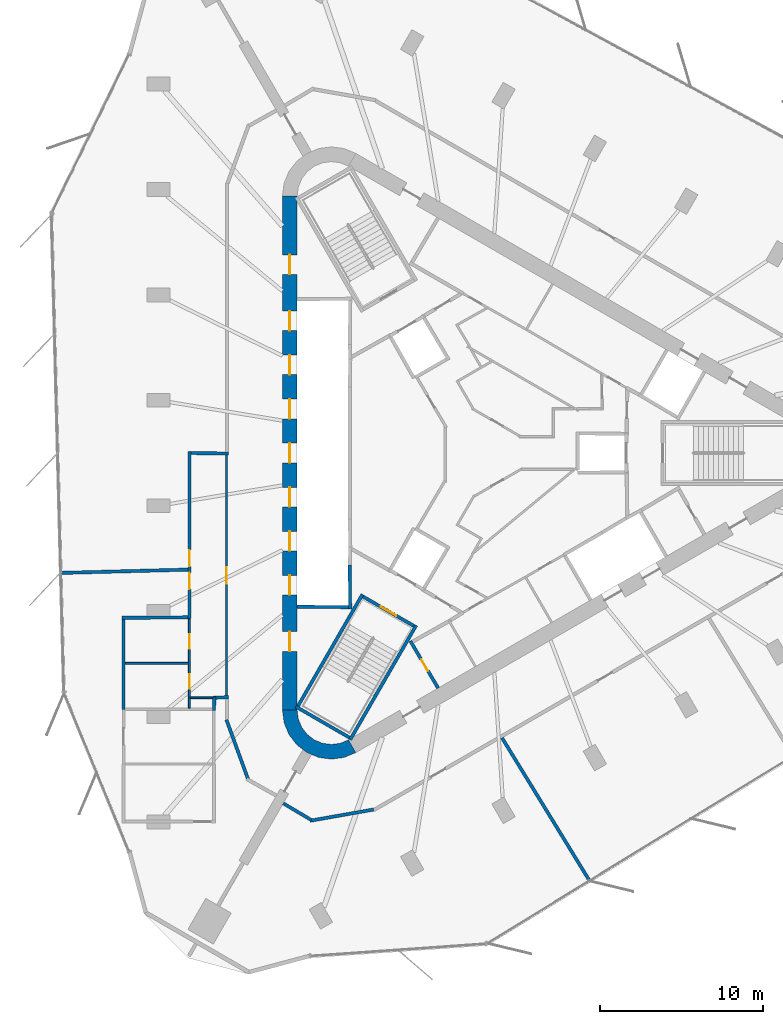
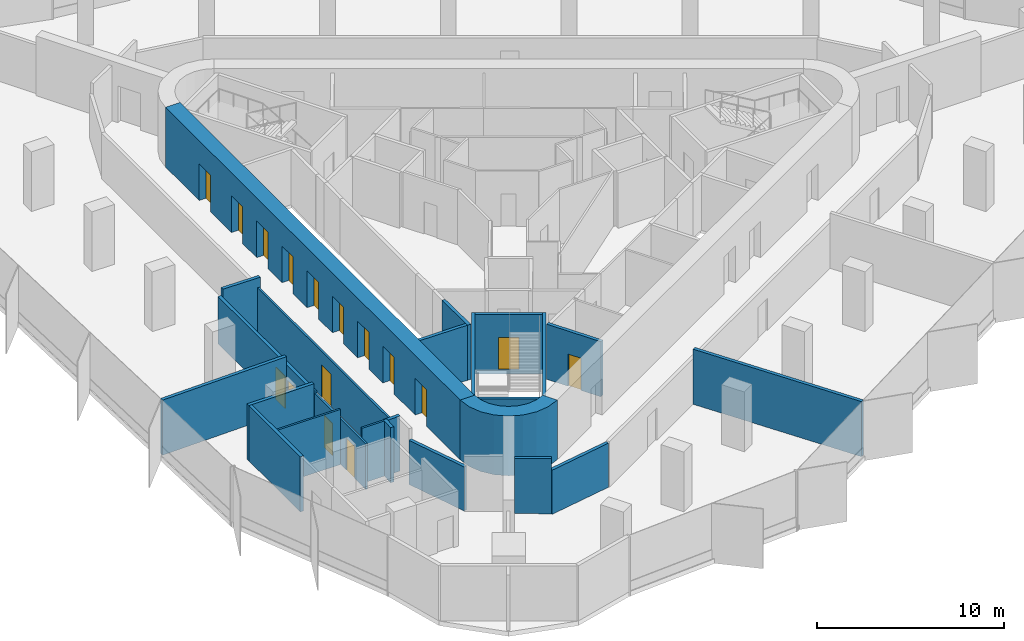
# One storey, part 7 of 12: 24 walls, 16 doors, 16 openings.
"""IFC4 building model written with IfcOpenShell, lengths in metres."""

from ifc_helpers import new_model, si_unit, direction, frame, frame_2d, origin, place, context, subcontext, project, spatial, polyline, rectangle, outline, extrude, material, layer, layer_set, type_object, element, fill, save


model = new_model("IFC4")

# Units and contexts
model_context = context("Model", 3, precision=1e-05, world=origin(), true_north=direction((0.0, 1.0)))
body_context = subcontext(model_context, "Body", "Model", "MODEL_VIEW")
ifc_project = project(units=[si_unit("LENGTHUNIT", "METRE"), si_unit("AREAUNIT", "SQUARE_METRE"), si_unit("VOLUMEUNIT", "CUBIC_METRE"), si_unit("PLANEANGLEUNIT", "RADIAN"), si_unit("MASSUNIT", "GRAM", prefix="KILO")], contexts=[model_context])

# Site, building, storey
site_placement = place(None, origin())
site = spatial("IfcSite", under=ifc_project, at=site_placement, CompositionType="ELEMENT")
building_placement = place(site_placement, origin())
building = spatial("IfcBuilding", under=site, at=building_placement, Name="Tanit Gate Tower", CompositionType="ELEMENT")
storey_placement = place(building_placement, frame((0.0, 0.0, 353.300048828125)))
storey = spatial("IfcBuildingStorey", under=building, at=storey_placement, Name="L80", CompositionType="ELEMENT", Elevation=353.300048828125)

# Wall, openings, doors
ifc_material_1 = material(Name="Concrete C40/50", Category="concrete")
ifc_layer_1 = layer(ifc_material_1, 0.89990234375)
ifc_layer_set_1 = layer_set([ifc_layer_1], Name="CORE WALL 900 C40/50")
wall_type_1 = type_object("IfcWallType", Name="CORE WALL 900 C40/50", PredefinedType="SHEAR", material=ifc_layer_set_1)
wall_1_placement = place(storey_placement, frame((-11.64990234375, 15.76171875, 0.0), z_axis=(0.0, 0.0, 1.0), x_axis=(0.0, -1.0, 0.0)))
wall_1 = element("IfcWall", 1, at=wall_1_placement, inside=storey, type_object=wall_type_1, Name="CORE WALL", PredefinedType="SHEAR", context=body_context, shape_type="SweptSolid", body=[
    extrude(rectangle(XDim=31.5234375, YDim=0.89990234375, at=frame_2d((15.76171875, 0.0))), origin(), (0.0, 0.0, 1.0), 3.89990234375),
])
opening_1_placement = place(wall_1_placement, frame((7.061767578125, 0.0, 0.0)))
opening_1 = element("IfcOpeningElement", 2, at=opening_1_placement, cuts=wall_1, Name="Opening LDHL1-S22", PredefinedType="OPENING", context=body_context, shape_type="SweptSolid", body=[
    extrude(rectangle(XDim=1.199951171875, YDim=2.39990234375, at=frame_2d((0.60009765625, 1.199951171875))), frame((0.0, 0.4599609375, 0.0), z_axis=(0.0, -1.0, 0.0), x_axis=(1.0, 0.0, 0.0)), (0.0, 0.0, 1.0), 0.919921875),
])
opening_2_placement = place(wall_1_placement, frame((9.76171875, 0.0, 0.0)))
opening_2 = element("IfcOpeningElement", 3, at=opening_2_placement, cuts=wall_1, Name="Opening LDHL2-S22", PredefinedType="OPENING", context=body_context, shape_type="SweptSolid", body=[
    extrude(rectangle(XDim=1.199951171875, YDim=2.39990234375, at=frame_2d((0.60009765625, 1.199951171875))), frame((0.0, 0.4599609375, 0.0), z_axis=(0.0, -1.0, 0.0), x_axis=(1.0, 0.0, 0.0)), (0.0, 0.0, 1.0), 0.919921875),
])
opening_3_placement = place(wall_1_placement, frame((12.461669921875, 0.0, 0.0)))
opening_3 = element("IfcOpeningElement", 4, at=opening_3_placement, cuts=wall_1, Name="Opening LDHL3-S22", PredefinedType="OPENING", context=body_context, shape_type="SweptSolid", body=[
    extrude(rectangle(XDim=1.199951171875, YDim=2.39990234375, at=frame_2d((0.60009765625, 1.199951171875))), frame((0.0, 0.4599609375, 0.0), z_axis=(0.0, -1.0, 0.0), x_axis=(1.0, 0.0, 0.0)), (0.0, 0.0, 1.0), 0.919921875),
])
opening_4_placement = place(wall_1_placement, frame((15.16162109375, 0.0, 0.0)))
opening_4 = element("IfcOpeningElement", 5, at=opening_4_placement, cuts=wall_1, Name="Opening LDHL4-S22", PredefinedType="OPENING", context=body_context, shape_type="SweptSolid", body=[
    extrude(rectangle(XDim=1.199951171875, YDim=2.39990234375, at=frame_2d((0.60009765625, 1.199951171875))), frame((0.0, 0.4599609375, 0.0), z_axis=(0.0, -1.0, 0.0), x_axis=(1.0, 0.0, 0.0)), (0.0, 0.0, 1.0), 0.919921875),
])
opening_5_placement = place(wall_1_placement, frame((17.86181640625, 0.0, 0.0)))
opening_5 = element("IfcOpeningElement", 6, at=opening_5_placement, cuts=wall_1, Name="Opening LDHL5-S22", PredefinedType="OPENING", context=body_context, shape_type="SweptSolid", body=[
    extrude(rectangle(XDim=1.199951171875, YDim=2.39990234375, at=frame_2d((0.60009765625, 1.199951171875))), frame((0.0, 0.4599609375, 0.0), z_axis=(0.0, -1.0, 0.0), x_axis=(1.0, 0.0, 0.0)), (0.0, 0.0, 1.0), 0.919921875),
])
opening_6_placement = place(wall_1_placement, frame((20.561767578125, 0.0, 0.0)))
opening_6 = element("IfcOpeningElement", 7, at=opening_6_placement, cuts=wall_1, Name="Opening LDHL6-S22", PredefinedType="OPENING", context=body_context, shape_type="SweptSolid", body=[
    extrude(rectangle(XDim=1.199951171875, YDim=2.39990234375, at=frame_2d((0.60009765625, 1.199951171875))), frame((0.0, 0.4599609375, 0.0), z_axis=(0.0, -1.0, 0.0), x_axis=(1.0, 0.0, 0.0)), (0.0, 0.0, 1.0), 0.919921875),
])
opening_7_placement = place(wall_1_placement, frame((23.26171875, 0.0, 0.0)))
opening_7 = element("IfcOpeningElement", 8, at=opening_7_placement, cuts=wall_1, Name="Opening LDHL7-S22", PredefinedType="OPENING", context=body_context, shape_type="SweptSolid", body=[
    extrude(rectangle(XDim=1.199951171875, YDim=2.39990234375, at=frame_2d((0.60009765625, 1.199951171875))), frame((0.0, 0.4599609375, 0.0), z_axis=(0.0, -1.0, 0.0), x_axis=(1.0, 0.0, 0.0)), (0.0, 0.0, 1.0), 0.919921875),
])
opening_8_placement = place(wall_1_placement, frame((3.61181640625, 0.0, 0.0)))
opening_8 = element("IfcOpeningElement", 9, at=opening_8_placement, cuts=wall_1, Name="Opening F12-S22-FL2", PredefinedType="OPENING", context=body_context, shape_type="SweptSolid", body=[
    extrude(rectangle(XDim=1.199951171875, YDim=2.39990234375, at=frame_2d((0.60009765625, 1.199951171875))), frame((0.0, 0.4599609375, 0.0), z_axis=(0.0, -1.0, 0.0), x_axis=(1.0, 0.0, 0.0)), (0.0, 0.0, 1.0), 0.919921875),
])
opening_9_placement = place(wall_1_placement, frame((26.711669921875, 0.0, 0.0)))
opening_9 = element("IfcOpeningElement", 10, at=opening_9_placement, cuts=wall_1, Name="Opening F12-S22-S3", PredefinedType="OPENING", context=body_context, shape_type="SweptSolid", body=[
    extrude(rectangle(XDim=1.199951171875, YDim=2.39990234375, at=frame_2d((0.60009765625, 1.199951171875))), frame((0.0, 0.4599609375, 0.0), z_axis=(0.0, -1.0, 0.0), x_axis=(1.0, 0.0, 0.0)), (0.0, 0.0, 1.0), 0.919921875),
])
ifc_material_2 = material(Name="Fire-rated steel door leaf", Category="steel")
door_type_1 = type_object("IfcDoorType", Name="INT-DOOR-FIRE-LOBBY-1200", OperationType="NOTDEFINED", PredefinedType="USERDEFINED", material=ifc_material_2)
door_1_placement = place(opening_8_placement, origin())
door_1 = element("IfcDoor", 11, at=door_1_placement, inside=storey, type_object=door_type_1, Name="Door F12-S22-FL2", ObjectType="FIRE DOOR", OperationType="SINGLE_SWING_RIGHT", OverallHeight=2.39990234375, OverallWidth=1.199951171875, PredefinedType="USERDEFINED", context=body_context, shape_type="SweptSolid", body=[
    extrude(rectangle(XDim=1.199951171875, YDim=2.39990234375, at=frame_2d((0.60009765625, 1.199951171875))), frame((0.0, 0.02490234375, 0.0), z_axis=(0.0, -1.0, 0.0), x_axis=(1.0, 0.0, 0.0)), (0.0, 0.0, 1.0), 0.050048828125),
])
fill(opening_8, door_1)
door_2_placement = place(opening_9_placement, origin())
door_2 = element("IfcDoor", 12, at=door_2_placement, inside=storey, type_object=door_type_1, Name="Door F12-S22-S3", ObjectType="FIRE DOOR", OperationType="SINGLE_SWING_LEFT", OverallHeight=2.39990234375, OverallWidth=1.199951171875, PredefinedType="USERDEFINED", context=body_context, shape_type="SweptSolid", body=[
    extrude(rectangle(XDim=1.199951171875, YDim=2.39990234375, at=frame_2d((0.60009765625, 1.199951171875))), frame((0.0, 0.02490234375, 0.0), z_axis=(0.0, -1.0, 0.0), x_axis=(1.0, 0.0, 0.0)), (0.0, 0.0, 1.0), 0.050048828125),
])
fill(opening_9, door_2)
ifc_material_3 = material(Name="Stainless steel sliding door leaf", Category="steel")
door_type_2 = type_object("IfcDoorType", Name="INT-DOOR-LANDING-1200", OperationType="NOTDEFINED", PredefinedType="USERDEFINED", material=ifc_material_3)
door_3_placement = place(opening_1_placement, origin())
door_3 = element("IfcDoor", 13, at=door_3_placement, inside=storey, type_object=door_type_2, Name="Door LDHL1-S22", ObjectType="LANDING DOOR", OperationType="SLIDING_TO_LEFT", OverallHeight=2.39990234375, OverallWidth=1.199951171875, PredefinedType="USERDEFINED", context=body_context, shape_type="SweptSolid", body=[
    extrude(rectangle(XDim=1.199951171875, YDim=2.39990234375, at=frame_2d((0.60009765625, 1.199951171875))), frame((0.0, 0.02490234375, 0.0), z_axis=(0.0, -1.0, 0.0), x_axis=(1.0, 0.0, 0.0)), (0.0, 0.0, 1.0), 0.050048828125),
])
fill(opening_1, door_3)
door_4_placement = place(opening_2_placement, origin())
door_4 = element("IfcDoor", 14, at=door_4_placement, inside=storey, type_object=door_type_2, Name="Door LDHL2-S22", ObjectType="LANDING DOOR", OperationType="SLIDING_TO_LEFT", OverallHeight=2.39990234375, OverallWidth=1.199951171875, PredefinedType="USERDEFINED", context=body_context, shape_type="SweptSolid", body=[
    extrude(rectangle(XDim=1.199951171875, YDim=2.39990234375, at=frame_2d((0.60009765625, 1.199951171875))), frame((0.0, 0.02490234375, 0.0), z_axis=(0.0, -1.0, 0.0), x_axis=(1.0, 0.0, 0.0)), (0.0, 0.0, 1.0), 0.050048828125),
])
fill(opening_2, door_4)
door_5_placement = place(opening_3_placement, origin())
door_5 = element("IfcDoor", 15, at=door_5_placement, inside=storey, type_object=door_type_2, Name="Door LDHL3-S22", ObjectType="LANDING DOOR", OperationType="SLIDING_TO_LEFT", OverallHeight=2.39990234375, OverallWidth=1.199951171875, PredefinedType="USERDEFINED", context=body_context, shape_type="SweptSolid", body=[
    extrude(rectangle(XDim=1.199951171875, YDim=2.39990234375, at=frame_2d((0.60009765625, 1.199951171875))), frame((0.0, 0.02490234375, 0.0), z_axis=(0.0, -1.0, 0.0), x_axis=(1.0, 0.0, 0.0)), (0.0, 0.0, 1.0), 0.050048828125),
])
fill(opening_3, door_5)
door_6_placement = place(opening_4_placement, origin())
door_6 = element("IfcDoor", 16, at=door_6_placement, inside=storey, type_object=door_type_2, Name="Door LDHL4-S22", ObjectType="LANDING DOOR", OperationType="SLIDING_TO_LEFT", OverallHeight=2.39990234375, OverallWidth=1.199951171875, PredefinedType="USERDEFINED", context=body_context, shape_type="SweptSolid", body=[
    extrude(rectangle(XDim=1.199951171875, YDim=2.39990234375, at=frame_2d((0.60009765625, 1.199951171875))), frame((0.0, 0.02490234375, 0.0), z_axis=(0.0, -1.0, 0.0), x_axis=(1.0, 0.0, 0.0)), (0.0, 0.0, 1.0), 0.050048828125),
])
fill(opening_4, door_6)
door_7_placement = place(opening_5_placement, origin())
door_7 = element("IfcDoor", 17, at=door_7_placement, inside=storey, type_object=door_type_2, Name="Door LDHL5-S22", ObjectType="LANDING DOOR", OperationType="SLIDING_TO_LEFT", OverallHeight=2.39990234375, OverallWidth=1.199951171875, PredefinedType="USERDEFINED", context=body_context, shape_type="SweptSolid", body=[
    extrude(rectangle(XDim=1.199951171875, YDim=2.39990234375, at=frame_2d((0.60009765625, 1.199951171875))), frame((0.0, 0.02490234375, 0.0), z_axis=(0.0, -1.0, 0.0), x_axis=(1.0, 0.0, 0.0)), (0.0, 0.0, 1.0), 0.050048828125),
])
fill(opening_5, door_7)
door_8_placement = place(opening_6_placement, origin())
door_8 = element("IfcDoor", 18, at=door_8_placement, inside=storey, type_object=door_type_2, Name="Door LDHL6-S22", ObjectType="LANDING DOOR", OperationType="SLIDING_TO_LEFT", OverallHeight=2.39990234375, OverallWidth=1.199951171875, PredefinedType="USERDEFINED", context=body_context, shape_type="SweptSolid", body=[
    extrude(rectangle(XDim=1.199951171875, YDim=2.39990234375, at=frame_2d((0.60009765625, 1.199951171875))), frame((0.0, 0.02490234375, 0.0), z_axis=(0.0, -1.0, 0.0), x_axis=(1.0, 0.0, 0.0)), (0.0, 0.0, 1.0), 0.050048828125),
])
fill(opening_6, door_8)
door_9_placement = place(opening_7_placement, origin())
door_9 = element("IfcDoor", 19, at=door_9_placement, inside=storey, type_object=door_type_2, Name="Door LDHL7-S22", ObjectType="LANDING DOOR", OperationType="SLIDING_TO_LEFT", OverallHeight=2.39990234375, OverallWidth=1.199951171875, PredefinedType="USERDEFINED", context=body_context, shape_type="SweptSolid", body=[
    extrude(rectangle(XDim=1.199951171875, YDim=2.39990234375, at=frame_2d((0.60009765625, 1.199951171875))), frame((0.0, 0.02490234375, 0.0), z_axis=(0.0, -1.0, 0.0), x_axis=(1.0, 0.0, 0.0)), (0.0, 0.0, 1.0), 0.050048828125),
])
fill(opening_7, door_9)

# Wall
wall_2_placement = place(storey_placement, origin())
element("IfcWall", 20, at=wall_2_placement, inside=storey, type_object=wall_type_1, Name="CORE WALL CORNER", PredefinedType="SHEAR", context=body_context, shape_type="SweptSolid", body=[
    extrude(outline(polyline([(-12.10009765625, -15.76171875), (-11.997802734375, -16.5380859375), (-11.697998046875, -17.26171875), (-11.22119140625, -17.883056640625), (-10.60009765625, -18.359619140625), (-9.87646484375, -18.659423828125), (-9.10009765625, -18.76171875), (-8.323486328125, -18.659423828125), (-7.60009765625, -18.359619140625), (-8.050048828125, -17.580322265625), (-8.556396484375, -17.7900390625), (-9.10009765625, -17.86181640625), (-9.6435546875, -17.7900390625), (-10.14990234375, -17.580322265625), (-10.5849609375, -17.24658203125), (-10.918701171875, -16.811767578125), (-11.12841796875, -16.30517578125), (-11.199951171875, -15.76171875), (-12.10009765625, -15.76171875)])), origin(), (0.0, 0.0, 1.0), 3.89990234375),
])

# Wall, opening, door
ifc_material_4 = material(Name="Fire-rated gypsum board partition")
ifc_layer_2 = layer(ifc_material_4, 0.199951171875)
ifc_layer_set_2 = layer_set([ifc_layer_2], Name="INT-WALL-COMPARTMENT")
wall_type_2 = type_object("IfcWallType", Name="INT-WALL-COMPARTMENT", PredefinedType="PARTITIONING", material=ifc_layer_set_2)
wall_3_placement = place(storey_placement, frame((-4.259765625, -11.523681640625, 0.0), z_axis=(0.0, 0.0, 1.0), x_axis=(0.507997497166, -0.861358544901, 0.0)))
wall_3 = element("IfcWall", 21, at=wall_3_placement, inside=storey, type_object=wall_type_2, Name="Wall Compartment W053", PredefinedType="PARTITIONING", context=body_context, shape_type="SweptSolid", body=[
    extrude(rectangle(XDim=3.350341796875, YDim=0.199951171875, at=frame_2d((1.67529296875, 0.0))), origin(), (0.0, 0.0, 1.0), 3.599853515625),
])
opening_10_placement = place(wall_3_placement, frame((1.3251953125, 0.0, 0.0)))
opening_10 = element("IfcOpeningElement", 22, at=opening_10_placement, cuts=wall_3, Name="Opening R08-S22-17", PredefinedType="OPENING", context=body_context, shape_type="SweptSolid", body=[
    extrude(rectangle(XDim=0.800048828125, YDim=2.10009765625, at=frame_2d((0.39990234375, 1.050048828125))), frame((0.0, 0.10986328125, 0.0), z_axis=(0.0, -1.0, 0.0), x_axis=(1.0, 0.0, 0.0)), (0.0, 0.0, 1.0), 0.219970703125),
])
ifc_material_5 = material(Name="Timber door leaf", Category="wood")
door_type_3 = type_object("IfcDoorType", Name="INT-DOOR-RISER-800", OperationType="NOTDEFINED", PredefinedType="USERDEFINED", material=ifc_material_5)
door_10_placement = place(opening_10_placement, origin())
door_10 = element("IfcDoor", 23, at=door_10_placement, inside=storey, type_object=door_type_3, Name="Door R08-S22-17", ObjectType="FIRE DOOR", OperationType="SINGLE_SWING_LEFT", OverallHeight=2.10009765625, OverallWidth=0.800048828125, PredefinedType="USERDEFINED", context=body_context, shape_type="SweptSolid", body=[
    extrude(rectangle(XDim=0.800048828125, YDim=2.10009765625, at=frame_2d((0.39990234375, 1.050048828125))), frame((0.0, 0.02490234375, 0.0), z_axis=(0.0, -1.0, 0.0), x_axis=(1.0, 0.0, 0.0)), (0.0, 0.0, 1.0), 0.050048828125),
])
fill(opening_10, door_10)

# Wall, openings, doors
wall_4_placement = place(storey_placement, frame((-17.800048828125, 0.10009765625, 0.0), z_axis=(0.0, 0.0, 1.0), x_axis=(0.0, -1.0, 0.0)))
wall_4 = element("IfcWall", 24, at=wall_4_placement, inside=storey, type_object=wall_type_2, Name="Wall Compartment W094", PredefinedType="PARTITIONING", context=body_context, shape_type="SweptSolid", body=[
    extrude(rectangle(XDim=10.22998046875, YDim=0.199951171875, at=frame_2d((5.114990234375, 0.0))), origin(), (0.0, 0.0, 1.0), 3.070068359375),
])
opening_11_placement = place(wall_4_placement, frame((7.444580078125, 0.0, 0.0)))
opening_11 = element("IfcOpeningElement", 25, at=opening_11_placement, cuts=wall_4, Name="Opening F10-S22-26", PredefinedType="OPENING", context=body_context, shape_type="SweptSolid", body=[
    extrude(rectangle(XDim=1.0, YDim=2.10009765625, at=frame_2d((0.5, 1.050048828125))), frame((0.0, 0.10986328125, 0.0), z_axis=(0.0, -1.0, 0.0), x_axis=(1.0, 0.0, 0.0)), (0.0, 0.0, 1.0), 0.219970703125),
])
opening_12_placement = place(wall_4_placement, frame((6.044677734375, 0.0, 0.0)))
opening_12 = element("IfcOpeningElement", 26, at=opening_12_placement, cuts=wall_4, Name="Opening F10-S22-27", PredefinedType="OPENING", context=body_context, shape_type="SweptSolid", body=[
    extrude(rectangle(XDim=1.0, YDim=2.10009765625, at=frame_2d((0.5, 1.050048828125))), frame((0.0, 0.10986328125, 0.0), z_axis=(0.0, -1.0, 0.0), x_axis=(1.0, 0.0, 0.0)), (0.0, 0.0, 1.0), 0.219970703125),
])
ifc_material_6 = material(Name="Fire-rated steel door leaf", Category="steel")
door_type_4 = type_object("IfcDoorType", Name="INT-DOOR-FIRE-1000", OperationType="NOTDEFINED", PredefinedType="USERDEFINED", material=ifc_material_6)
door_11_placement = place(opening_11_placement, origin())
door_11 = element("IfcDoor", 27, at=door_11_placement, inside=storey, type_object=door_type_4, Name="Door F10-S22-26", ObjectType="FIRE DOOR", OperationType="SINGLE_SWING_LEFT", OverallHeight=2.10009765625, OverallWidth=1.0, PredefinedType="USERDEFINED", context=body_context, shape_type="SweptSolid", body=[
    extrude(rectangle(XDim=1.0, YDim=2.10009765625, at=frame_2d((0.5, 1.050048828125))), frame((0.0, 0.02490234375, 0.0), z_axis=(0.0, -1.0, 0.0), x_axis=(1.0, 0.0, 0.0)), (0.0, 0.0, 1.0), 0.050048828125),
])
fill(opening_11, door_11)
door_12_placement = place(opening_12_placement, origin())
door_12 = element("IfcDoor", 28, at=door_12_placement, inside=storey, type_object=door_type_4, Name="Door F10-S22-27", ObjectType="FIRE DOOR", OperationType="SINGLE_SWING_RIGHT", OverallHeight=2.10009765625, OverallWidth=1.0, PredefinedType="USERDEFINED", context=body_context, shape_type="SweptSolid", body=[
    extrude(rectangle(XDim=1.0, YDim=2.10009765625, at=frame_2d((0.5, 1.050048828125))), frame((0.0, 0.02490234375, 0.0), z_axis=(0.0, -1.0, 0.0), x_axis=(1.0, 0.0, 0.0)), (0.0, 0.0, 1.0), 0.050048828125),
])
fill(opening_12, door_12)

# Walls
wall_5_placement = place(storey_placement, frame((-16.330078125, -15.0, 0.0), z_axis=(0.0, 0.0, 1.0), x_axis=(0.999344339616, 0.036206227059, 0.0)))
element("IfcWall", 29, at=wall_5_placement, inside=storey, type_object=wall_type_2, Name="Wall Compartment W093", PredefinedType="PARTITIONING", context=body_context, shape_type="SweptSolid", body=[
    extrude(rectangle(XDim=0.930419921875, YDim=0.199951171875, at=frame_2d((0.46533203125, 0.0))), origin(), (0.0, 0.0, 1.0), 3.599853515625),
])
wall_6_placement = place(storey_placement, frame((-15.39990234375, -0.03125, 0.0), z_axis=(0.0, 0.0, 1.0), x_axis=(-0.999914782125, 0.013054826261, 0.0)))
element("IfcWall", 30, at=wall_6_placement, inside=storey, type_object=wall_type_2, Name="Wall Compartment W095", PredefinedType="PARTITIONING", context=body_context, shape_type="SweptSolid", body=[
    extrude(rectangle(XDim=2.30029296875, YDim=0.199951171875, at=frame_2d((1.150146484375, 0.0))), origin(), (0.0, 0.0, 1.0), 3.599853515625),
])
wall_7_placement = place(storey_placement, frame((-15.5341796875, -16.346435546875, 0.0), z_axis=(0.0, 0.0, 1.0), x_axis=(0.342001008711, -0.939699584996, 0.0)))
element("IfcWall", 31, at=wall_7_placement, inside=storey, type_object=wall_type_2, Name="Wall Compartment W100", PredefinedType="PARTITIONING", context=body_context, shape_type="SweptSolid", body=[
    extrude(rectangle(XDim=3.87548828125, YDim=0.199951171875, at=frame_2d((1.937744140625, 0.0))), origin(), (0.0, 0.0, 1.0), 2.8798828125),
])
wall_8_placement = place(storey_placement, frame((-10.405517578125, -22.53759765625, 0.0), z_axis=(0.0, 0.0, 1.0), x_axis=(0.98480284819, 0.173675991999, 0.0)))
element("IfcWall", 32, at=wall_8_placement, inside=storey, type_object=wall_type_2, Name="Wall Compartment W115", PredefinedType="PARTITIONING", context=body_context, shape_type="SweptSolid", body=[
    extrude(rectangle(XDim=3.94873046875, YDim=0.199951171875, at=frame_2d((1.974365234375, 0.0))), origin(), (0.0, 0.0, 1.0), 2.8798828125),
])
wall_9_placement = place(storey_placement, frame((-12.05029296875, -21.4716796875, 0.0), z_axis=(0.0, 0.0, 1.0), x_axis=(0.859577966481, -0.511004617924, 0.0)))
element("IfcWall", 33, at=wall_9_placement, inside=storey, type_object=wall_type_2, Name="Wall Compartment W116", PredefinedType="PARTITIONING", context=body_context, shape_type="SweptSolid", body=[
    extrude(rectangle(XDim=1.99755859375, YDim=0.199951171875, at=frame_2d((0.998779296875, 0.0))), origin(), (0.0, 0.0, 1.0), 3.599853515625),
])
wall_10_placement = place(storey_placement, frame((-25.68115234375, -7.348876953125, 0.0), z_axis=(0.0, 0.0, 1.0), x_axis=(0.999664345276, 0.025907465776, 0.0)))
element("IfcWall", 34, at=wall_10_placement, inside=storey, type_object=wall_type_2, Name="Wall Compartment W117", PredefinedType="PARTITIONING", context=body_context, shape_type="SweptSolid", body=[
    extrude(rectangle(XDim=7.783935546875, YDim=0.199951171875, at=frame_2d((3.89208984375, 0.0))), origin(), (0.0, 0.0, 1.0), 3.599853515625),
])
wall_11_placement = place(storey_placement, frame((-17.89990234375, -10.07080078125, 0.0), z_axis=(0.0, 0.0, 1.0), x_axis=(-0.999972376977, -0.007432717088, 0.0)))
element("IfcWall", 35, at=wall_11_placement, inside=storey, type_object=wall_type_2, Name="Wall Compartment W120", PredefinedType="PARTITIONING", context=body_context, shape_type="SweptSolid", body=[
    extrude(rectangle(XDim=4.0400390625, YDim=0.199951171875, at=frame_2d((2.02001953125, 0.0))), origin(), (0.0, 0.0, 1.0), 3.599853515625),
])
wall_12_placement = place(storey_placement, frame((-21.840087890625, -15.704345703125, 0.0), z_axis=(0.0, 0.0, 1.0), x_axis=(0.0, 1.0, 0.0)))
element("IfcWall", 36, at=wall_12_placement, inside=storey, type_object=wall_type_2, Name="Wall Compartment W122", PredefinedType="PARTITIONING", context=body_context, shape_type="SweptSolid", body=[
    extrude(rectangle(XDim=5.50439453125, YDim=0.199951171875, at=frame_2d((2.752197265625, 0.0))), origin(), (0.0, 0.0, 1.0), 3.599853515625),
])
wall_13_placement = place(storey_placement, frame((-16.300048828125, -15.771728515625, 0.0), z_axis=(0.0, 0.0, 1.0), x_axis=(0.039007565522, 0.999238915291, 0.0)))
element("IfcWall", 37, at=wall_13_placement, inside=storey, type_object=wall_type_2, Name="Wall Compartment W123", PredefinedType="PARTITIONING", context=body_context, shape_type="SweptSolid", body=[
    extrude(rectangle(XDim=0.83251953125, YDim=0.199951171875, at=frame_2d((0.416259765625, 0.0))), origin(), (0.0, 0.0, 1.0), 3.599853515625),
])
wall_14_placement = place(storey_placement, frame((6.71875, -26.213134765625, 0.0), z_axis=(0.0, 0.0, 1.0), x_axis=(-0.522271430508, 0.852779310769, 0.0)))
element("IfcWall", 38, at=wall_14_placement, inside=storey, type_object=wall_type_2, Name="Wall Compartment W134", PredefinedType="PARTITIONING", context=body_context, shape_type="SweptSolid", body=[
    extrude(rectangle(XDim=10.263916015625, YDim=0.199951171875, at=frame_2d((5.1318359375, 0.0))), origin(), (0.0, 0.0, 1.0), 3.599853515625),
])

# Wall, opening, door
ifc_material_7 = material(Name="Gypsum board partition")
ifc_layer_3 = layer(ifc_material_7, 0.1201171875)
ifc_layer_set_3 = layer_set([ifc_layer_3], Name="INT-WALL-PARTITION")
wall_type_3 = type_object("IfcWallType", Name="INT-WALL-PARTITION", PredefinedType="PARTITIONING", material=ifc_layer_set_3)
wall_15_placement = place(storey_placement, frame((-15.530029296875, 0.0, 0.0), z_axis=(0.0, 0.0, 1.0), x_axis=(0.0, -1.0, 0.0)))
wall_15 = element("IfcWall", 39, at=wall_15_placement, inside=storey, type_object=wall_type_3, Name="Wall Partition W091", PredefinedType="PARTITIONING", context=body_context, shape_type="SweptSolid", body=[
    extrude(rectangle(XDim=15.0, YDim=0.1201171875, at=frame_2d((7.5, 0.0))), origin(), (0.0, 0.0, 1.0), 2.969970703125),
])
opening_13_placement = place(wall_15_placement, frame((7.0, 0.0, 0.0)))
opening_13 = element("IfcOpeningElement", 40, at=opening_13_placement, cuts=wall_15, Name="Opening D10-S22-21", PredefinedType="OPENING", context=body_context, shape_type="SweptSolid", body=[
    extrude(rectangle(XDim=1.0, YDim=2.10009765625, at=frame_2d((0.5, 1.050048828125))), frame((0.0, 0.070068359375, 0.0), z_axis=(0.0, -1.0, 0.0), x_axis=(1.0, 0.0, 0.0)), (0.0, 0.0, 1.0), 0.14013671875),
])
ifc_material_8 = material(Name="Timber door leaf", Category="wood")
door_type_5 = type_object("IfcDoorType", Name="INT-DOOR-SINGLE-1000", OperationType="NOTDEFINED", PredefinedType="NOTDEFINED", material=ifc_material_8)
door_13_placement = place(opening_13_placement, origin())
door_13 = element("IfcDoor", 41, at=door_13_placement, inside=storey, type_object=door_type_5, Name="Door D10-S22-21", OperationType="SINGLE_SWING_RIGHT", OverallHeight=2.10009765625, OverallWidth=1.0, PredefinedType="NOTDEFINED", context=body_context, shape_type="SweptSolid", body=[
    extrude(rectangle(XDim=1.0, YDim=2.10009765625, at=frame_2d((0.5, 1.050048828125))), frame((0.0, 0.02490234375, 0.0), z_axis=(0.0, -1.0, 0.0), x_axis=(1.0, 0.0, 0.0)), (0.0, 0.0, 1.0), 0.050048828125),
])
fill(opening_13, door_13)

# Wall, openings, doors
wall_16_placement = place(storey_placement, frame((-17.800048828125, -10.169921875, 0.0), z_axis=(0.0, 0.0, 1.0), x_axis=(0.0, -1.0, 0.0)))
wall_16 = element("IfcWall", 42, at=wall_16_placement, inside=storey, type_object=wall_type_3, Name="Wall Partition W096", PredefinedType="PARTITIONING", context=body_context, shape_type="SweptSolid", body=[
    extrude(rectangle(XDim=5.466796875, YDim=0.1201171875, at=frame_2d((2.7333984375, 0.0))), origin(), (0.0, 0.0, 1.0), 2.969970703125),
])
opening_14_placement = place(wall_16_placement, frame((0.940185546875, 0.0, 0.0)))
opening_14 = element("IfcOpeningElement", 43, at=opening_14_placement, cuts=wall_16, Name="Opening D09-S22-22", PredefinedType="OPENING", context=body_context, shape_type="SweptSolid", body=[
    extrude(rectangle(XDim=0.89990234375, YDim=2.10009765625, at=frame_2d((0.449951171875, 1.050048828125))), frame((0.0, 0.070068359375, 0.0), z_axis=(0.0, -1.0, 0.0), x_axis=(1.0, 0.0, 0.0)), (0.0, 0.0, 1.0), 0.14013671875),
])
opening_15_placement = place(wall_16_placement, frame((3.385009765625, 0.0, 0.0)))
opening_15 = element("IfcOpeningElement", 44, at=opening_15_placement, cuts=wall_16, Name="Opening D09-S22-23", PredefinedType="OPENING", context=body_context, shape_type="SweptSolid", body=[
    extrude(rectangle(XDim=0.89990234375, YDim=2.10009765625, at=frame_2d((0.449951171875, 1.050048828125))), frame((0.0, 0.070068359375, 0.0), z_axis=(0.0, -1.0, 0.0), x_axis=(1.0, 0.0, 0.0)), (0.0, 0.0, 1.0), 0.14013671875),
])
ifc_material_9 = material(Name="Timber door leaf", Category="wood")
door_type_6 = type_object("IfcDoorType", Name="INT-DOOR-SINGLE-900", OperationType="NOTDEFINED", PredefinedType="NOTDEFINED", material=ifc_material_9)
door_14_placement = place(opening_14_placement, origin())
door_14 = element("IfcDoor", 45, at=door_14_placement, inside=storey, type_object=door_type_6, Name="Door D09-S22-22", OperationType="SINGLE_SWING_LEFT", OverallHeight=2.10009765625, OverallWidth=0.89990234375, PredefinedType="NOTDEFINED", context=body_context, shape_type="SweptSolid", body=[
    extrude(rectangle(XDim=0.89990234375, YDim=2.10009765625, at=frame_2d((0.449951171875, 1.050048828125))), frame((0.0, 0.02490234375, 0.0), z_axis=(0.0, -1.0, 0.0), x_axis=(1.0, 0.0, 0.0)), (0.0, 0.0, 1.0), 0.050048828125),
])
fill(opening_14, door_14)
door_15_placement = place(opening_15_placement, origin())
door_15 = element("IfcDoor", 46, at=door_15_placement, inside=storey, type_object=door_type_6, Name="Door D09-S22-23", OperationType="SINGLE_SWING_LEFT", OverallHeight=2.10009765625, OverallWidth=0.89990234375, PredefinedType="NOTDEFINED", context=body_context, shape_type="SweptSolid", body=[
    extrude(rectangle(XDim=0.89990234375, YDim=2.10009765625, at=frame_2d((0.449951171875, 1.050048828125))), frame((0.0, 0.02490234375, 0.0), z_axis=(0.0, -1.0, 0.0), x_axis=(1.0, 0.0, 0.0)), (0.0, 0.0, 1.0), 0.050048828125),
])
fill(opening_15, door_15)

# Walls
wall_17_placement = place(storey_placement, frame((-17.739990234375, -15.0, 0.0), z_axis=(0.0, 0.0, 1.0), x_axis=(1.0, 0.0, 0.0)))
element("IfcWall", 47, at=wall_17_placement, inside=storey, type_object=wall_type_3, Name="Wall Partition W097", PredefinedType="PARTITIONING", context=body_context, shape_type="SweptSolid", body=[
    extrude(rectangle(XDim=1.369873046875, YDim=0.1201171875, at=frame_2d((0.68505859375, 0.0))), origin(), (0.0, 0.0, 1.0), 3.599853515625),
])
wall_18_placement = place(storey_placement, frame((-17.860107421875, -12.89013671875, 0.0), z_axis=(0.0, 0.0, 1.0), x_axis=(-1.0, 0.0, 0.0)))
element("IfcWall", 48, at=wall_18_placement, inside=storey, type_object=wall_type_3, Name="Wall Partition W135", PredefinedType="PARTITIONING", context=body_context, shape_type="SweptSolid", body=[
    extrude(rectangle(XDim=3.8798828125, YDim=0.1201171875, at=frame_2d((1.93994140625, 0.0))), origin(), (0.0, 0.0, 1.0), 3.599853515625),
])
ifc_material_10 = material(Name="Gypsum shaft wall system")
ifc_layer_4 = layer(ifc_material_10, 0.199951171875)
ifc_layer_set_4 = layer_set([ifc_layer_4], Name="INT-WALL-SHAFT")
wall_type_4 = type_object("IfcWallType", Name="INT-WALL-SHAFT", PredefinedType="PLUMBINGWALL", material=ifc_layer_set_4)
wall_19_placement = place(storey_placement, frame((-7.97900390625, -6.85009765625, 0.0), z_axis=(0.0, 0.0, 1.0), x_axis=(0.011121475088, -0.999938154483, 0.0)))
element("IfcWall", 49, at=wall_19_placement, inside=storey, type_object=wall_type_4, Name="Wall Shaft W010", PredefinedType="PLUMBINGWALL", context=body_context, shape_type="SweptSolid", body=[
    extrude(rectangle(XDim=2.7001953125, YDim=0.199951171875, at=frame_2d((1.35009765625, 0.0))), origin(), (0.0, 0.0, 1.0), 3.599853515625),
])
wall_20_placement = place(storey_placement, frame((-8.050048828125, -9.448974609375, 0.0), z_axis=(0.0, 0.0, 1.0), x_axis=(-0.999957467379, 0.009222983926, 0.0)))
element("IfcWall", 50, at=wall_20_placement, inside=storey, type_object=wall_type_4, Name="Wall Shaft W011", PredefinedType="PLUMBINGWALL", context=body_context, shape_type="SweptSolid", body=[
    extrude(rectangle(XDim=3.150146484375, YDim=0.199951171875, at=frame_2d((1.5751953125, 0.0))), origin(), (0.0, 0.0, 1.0), 3.599853515625),
])
ifc_material_11 = material(Name="Concrete C40/50", Category="concrete")
ifc_layer_5 = layer(ifc_material_11, 0.199951171875)
ifc_layer_set_5 = layer_set([ifc_layer_5], Name="INT-WALL-STAIR")
wall_type_5 = type_object("IfcWallType", Name="INT-WALL-STAIR", PredefinedType="SHEAR", material=ifc_layer_set_5)
wall_21_placement = place(storey_placement, frame((-3.904541015625, -10.56298828125, -0.300048828125), z_axis=(0.0, 0.0, 1.0), x_axis=(-0.500012932018, -0.866017937352, 0.0)))
element("IfcWall", 51, at=wall_21_placement, inside=storey, type_object=wall_type_5, Name="Wall Stair W036", PredefinedType="SHEAR", context=body_context, shape_type="SweptSolid", body=[
    extrude(rectangle(XDim=8.099853515625, YDim=0.199951171875, at=frame_2d((4.0498046875, 0.0))), origin(), (0.0, 0.0, 1.0), 3.89990234375),
])
wall_22_placement = place(storey_placement, frame((-11.281982421875, -15.541015625, -0.300048828125), z_axis=(0.0, 0.0, 1.0), x_axis=(0.866000483506, -0.500043160704, 0.0)))
element("IfcWall", 52, at=wall_22_placement, inside=storey, type_object=wall_type_5, Name="Wall Stair W037", PredefinedType="SHEAR", context=body_context, shape_type="SweptSolid", body=[
    extrude(rectangle(XDim=3.800048828125, YDim=0.199951171875, at=frame_2d((1.89990234375, 0.0))), origin(), (0.0, 0.0, 1.0), 3.89990234375),
])
wall_23_placement = place(storey_placement, frame((-7.195556640625, -8.662841796875, -0.300048828125), z_axis=(0.0, 0.0, 1.0), x_axis=(-0.499997992926, -0.866026562566, 0.0)))
element("IfcWall", 53, at=wall_23_placement, inside=storey, type_object=wall_type_5, Name="Wall Stair W038", PredefinedType="SHEAR", context=body_context, shape_type="SweptSolid", body=[
    extrude(rectangle(XDim=7.89990234375, YDim=0.199951171875, at=frame_2d((3.949951171875, 0.0))), origin(), (0.0, 0.0, 1.0), 3.89990234375),
])

# Wall, opening, door
wall_24_placement = place(storey_placement, frame((-4.041259765625, -10.599365234375, -0.300048828125), z_axis=(0.0, 0.0, 1.0), x_axis=(-0.866047807691, 0.499961193289, 0.0)))
wall_24 = element("IfcWall", 54, at=wall_24_placement, inside=storey, type_object=wall_type_5, Name="Wall Stair W039", PredefinedType="SHEAR", context=body_context, shape_type="SweptSolid", body=[
    extrude(rectangle(XDim=3.599853515625, YDim=0.199951171875, at=frame_2d((1.7998046875, 0.0))), origin(), (0.0, 0.0, 1.0), 3.89990234375),
])
opening_16_placement = place(wall_24_placement, frame((1.25, 0.0, 0.300048828125)))
opening_16 = element("IfcOpeningElement", 55, at=opening_16_placement, cuts=wall_24, Name="Opening S11-S22-07", PredefinedType="OPENING", context=body_context, shape_type="SweptSolid", body=[
    extrude(rectangle(XDim=1.10009765625, YDim=2.10009765625, at=frame_2d((0.550048828125, 1.050048828125))), frame((0.0, 0.10986328125, 0.0), z_axis=(0.0, -1.0, 0.0), x_axis=(1.0, 0.0, 0.0)), (0.0, 0.0, 1.0), 0.219970703125),
])
ifc_material_12 = material(Name="Timber door leaf", Category="wood")
door_type_7 = type_object("IfcDoorType", Name="INT-DOOR-STAIR-1100", OperationType="NOTDEFINED", PredefinedType="USERDEFINED", material=ifc_material_12)
door_16_placement = place(opening_16_placement, origin())
door_16 = element("IfcDoor", 56, at=door_16_placement, inside=storey, type_object=door_type_7, Name="Door S11-S22-07", ObjectType="FIRE DOOR", OperationType="SINGLE_SWING_LEFT", OverallHeight=2.10009765625, OverallWidth=1.10009765625, PredefinedType="USERDEFINED", context=body_context, shape_type="SweptSolid", body=[
    extrude(rectangle(XDim=1.10009765625, YDim=2.10009765625, at=frame_2d((0.550048828125, 1.050048828125))), frame((0.0, 0.02490234375, 0.0), z_axis=(0.0, -1.0, 0.0), x_axis=(1.0, 0.0, 0.0)), (0.0, 0.0, 1.0), 0.050048828125),
])
fill(opening_16, door_16)

save(model, "model.ifc")
